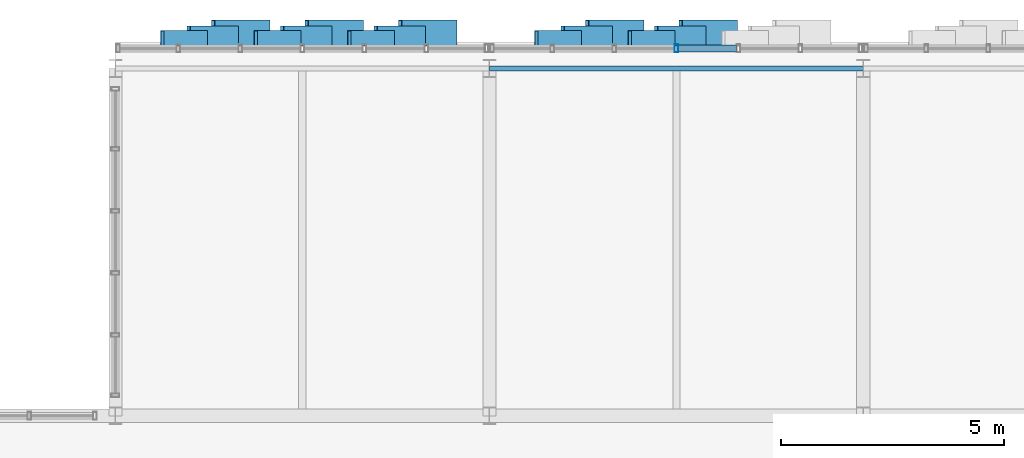
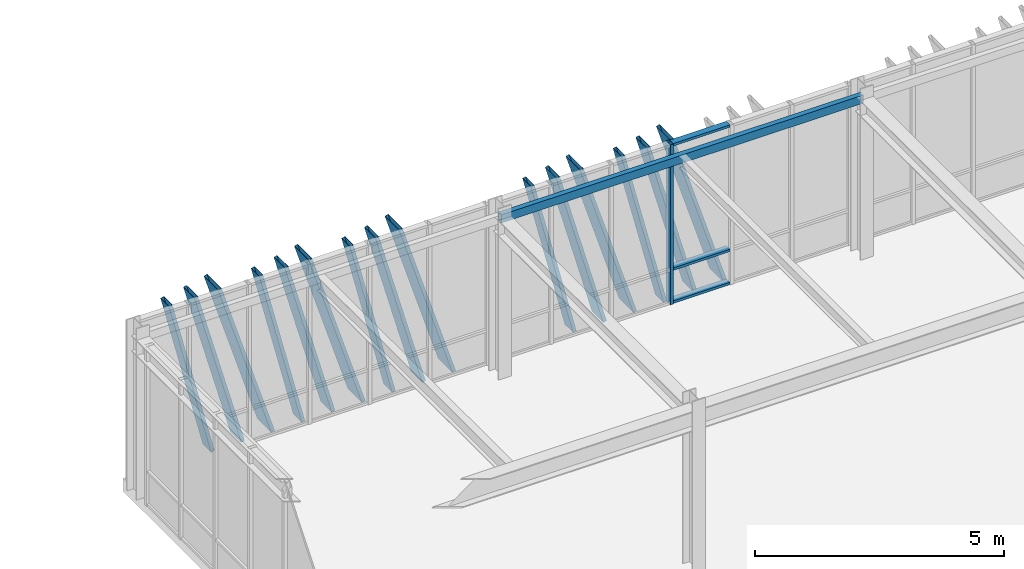
# One storey, part 52 of 127: 19 members, 1 beam, 2 elements without a shape of their own.
"""IFC4 building model written with IfcOpenShell, lengths in metres."""

from ifc_helpers import new_model, si_unit, direction, frame, origin, origin_2d, place, context, subcontext, project, spatial, hollow_rectangle, extrude, material, layer, layer_set, material_profile, profile_set, type_object, element, aggregate, save


model = new_model("IFC4")

# Units and contexts
model_context = context("Model", 3, precision=1e-05, world=origin(), true_north=direction((0.0, 1.0)))
body_context = subcontext(model_context, "Body", "Model", "MODEL_VIEW")
ifc_project = project(units=[si_unit("LENGTHUNIT", "METRE"), si_unit("AREAUNIT", "SQUARE_METRE"), si_unit("VOLUMEUNIT", "CUBIC_METRE"), si_unit("PLANEANGLEUNIT", "RADIAN"), si_unit("MASSUNIT", "GRAM", prefix="KILO")], contexts=[model_context])

# Site, building, storey
site_placement = place(None, origin())
site = spatial("IfcSite", under=ifc_project, at=site_placement, CompositionType="ELEMENT")
building_placement = place(site_placement, origin())
building = spatial("IfcBuilding", under=site, at=building_placement, Name="Zayran Congress Hotel", CompositionType="ELEMENT")
storey_placement = place(building_placement, frame((0.0, 0.0, 10.800048828125)))
storey = spatial("IfcBuildingStorey", under=building, at=storey_placement, Name="L02", CompositionType="ELEMENT", Elevation=10.800048828125)

# Beam
ifc_material_1 = material(Name="Steel S355", Category="steel")
ifc_material_profile_1 = material_profile(ifc_material_1, hollow_rectangle(XDim=0.1201171875, YDim=0.199951171875, WallThickness=0.008056640625, at=origin_2d()), Name="RHS 200x120x8")
ifc_profile_set_1 = profile_set([ifc_material_profile_1], Name="Steel S355")
beam_type = type_object("IfcBeamType", Name="TP-SP-02", PredefinedType="SPANDREL", material=ifc_profile_set_1)
beam_placement = place(storey_placement, frame((67.199951171875, 117.39990234375, 3.820068359375), z_axis=(1.0, 0.0, 0.0), x_axis=(0.0, 1.0, 0.0)))
element("IfcBeam", 1, at=beam_placement, inside=storey, type_object=beam_type, Name="BM-V1-L02-0707", PredefinedType="SPANDREL", context=body_context, shape_type="SweptSolid", body=[
    extrude(hollow_rectangle(XDim=0.1201171875, YDim=0.199951171875, WallThickness=0.008056640625, at=origin_2d()), origin(), (0.0, 0.0, 1.0), 8.400146484375),
])

# Curtain wall, members
ifc_material_2 = material(Name="Anodised aluminium and low-E insulated glass", Category="aluminium")
ifc_layer_1 = layer(ifc_material_2, 0.179931640625)
ifc_layer_set_1 = layer_set([ifc_layer_1], Name="Anodised aluminium and low-E insulated glass")
curtain_wall_type_1 = type_object("IfcCurtainWallType", Name="CW-V1N-L02-CW-22-8360-3920", PredefinedType="USERDEFINED", material=ifc_layer_set_1)
curtain_wall_1_placement = place(storey_placement, origin())
curtain_wall_1 = element("IfcCurtainWall", 2, at=curtain_wall_1_placement, inside=storey, type_object=curtain_wall_type_1, Name="CW-V1N-L02-7", ObjectType="CURTAIN WALL", PredefinedType="USERDEFINED")
ifc_material_3 = material(Name="Anodised aluminium framing", Category="aluminium")
ifc_material_profile_2 = material_profile(ifc_material_3, hollow_rectangle(XDim=0.080078125, YDim=0.179931640625, WallThickness=0.0048828125, at=origin_2d()), Name="RHS 180x80x5")
ifc_profile_set_2 = profile_set([ifc_material_profile_2], Name="Anodised aluminium framing")
member_type_1 = type_object("IfcMemberType", Name="TP-CWM-01", PredefinedType="MULLION", material=ifc_profile_set_2)
member_1_placement = place(storey_placement, frame((71.39990234375, 117.85009765625, 0.0), z_axis=(0.0, 0.0, 1.0), x_axis=(1.0, 0.0, 0.0)))
member_1 = element("IfcMember", 3, at=member_1_placement, type_object=member_type_1, Name="CW-V1N-L02-7-M03", PredefinedType="MULLION", context=body_context, shape_type="SweptSolid", body=[
    extrude(hollow_rectangle(XDim=0.080078125, YDim=0.179931640625, WallThickness=0.0048828125, at=origin_2d()), origin(), (0.0, 0.0, 1.0), 3.919921875),
])
ifc_material_profile_3 = material_profile(ifc_material_3, hollow_rectangle(XDim=0.06005859375, YDim=0.14990234375, WallThickness=0.00390625, at=origin_2d()), Name="RHS 150x60x4")
ifc_profile_set_3 = profile_set([ifc_material_profile_3], Name="Anodised aluminium framing")
member_type_2 = type_object("IfcMemberType", Name="TP-CWT-01", PredefinedType="USERDEFINED", material=ifc_profile_set_3)
member_2_placement = place(storey_placement, frame((72.75341796875, 117.85009765625, 0.030029296875), z_axis=(-1.0, 0.0, 0.0), x_axis=(0.0, 0.0, 1.0)))
member_2 = element("IfcMember", 4, at=member_2_placement, type_object=member_type_2, Name="CW-V1N-L02-7-T02-0", ObjectType="TRANSOM", PredefinedType="USERDEFINED", context=body_context, shape_type="SweptSolid", body=[
    extrude(hollow_rectangle(XDim=0.06005859375, YDim=0.14990234375, WallThickness=0.00390625, at=origin_2d()), origin(), (0.0, 0.0, 1.0), 1.3134765625),
])
member_3_placement = place(storey_placement, frame((72.75341796875, 117.85009765625, 0.83984375), z_axis=(-1.0, 0.0, 0.0), x_axis=(0.0, 0.0, 1.0)))
member_3 = element("IfcMember", 5, at=member_3_placement, type_object=member_type_2, Name="CW-V1N-L02-7-T02-1", ObjectType="TRANSOM", PredefinedType="USERDEFINED", context=body_context, shape_type="SweptSolid", body=[
    extrude(hollow_rectangle(XDim=0.06005859375, YDim=0.14990234375, WallThickness=0.00390625, at=origin_2d()), origin(), (0.0, 0.0, 1.0), 1.3134765625),
])
member_4_placement = place(storey_placement, frame((72.75341796875, 117.85009765625, 3.889892578125), z_axis=(-1.0, 0.0, 0.0), x_axis=(0.0, 0.0, 1.0)))
member_4 = element("IfcMember", 6, at=member_4_placement, type_object=member_type_2, Name="CW-V1N-L02-7-T02-2", ObjectType="TRANSOM", PredefinedType="USERDEFINED", context=body_context, shape_type="SweptSolid", body=[
    extrude(hollow_rectangle(XDim=0.06005859375, YDim=0.14990234375, WallThickness=0.00390625, at=origin_2d()), origin(), (0.0, 0.0, 1.0), 1.3134765625),
])

ifc_layer_2 = layer(ifc_material_2, 0.179931640625)
ifc_layer_set_2 = layer_set([ifc_layer_2], Name="Anodised aluminium and low-E insulated glass")
curtain_wall_type_2 = type_object("IfcCurtainWallType", Name="CW-V1N-L02-CW-21-8360-3920", PredefinedType="USERDEFINED", material=ifc_layer_set_2)
curtain_wall_2_placement = place(storey_placement, origin())
curtain_wall_2 = element("IfcCurtainWall", 7, at=curtain_wall_2_placement, inside=storey, type_object=curtain_wall_type_2, Name="CW-V1N-L02-6", ObjectType="CURTAIN WALL", PredefinedType="USERDEFINED")
ifc_material_4 = material(Name="Warm bronze anodised aluminium", Category="aluminium")
ifc_material_profile_4 = material_profile(ifc_material_4, hollow_rectangle(XDim=0.080078125, YDim=0.580078125, WallThickness=0.006103515625, at=origin_2d()), Name="RHS 580x80x6")
ifc_profile_set_4 = profile_set([ifc_material_profile_4], Name="Warm bronze anodised aluminium")
member_type_3 = type_object("IfcMemberType", Name="TP-RFN-01", PredefinedType="MULLION", material=ifc_profile_set_4)
member_5_placement = place(storey_placement, frame((66.429931640625, 118.199951171875, 0.0), z_axis=(-0.30068216973, 0.0, 0.953724400866), x_axis=(0.953724400866, 0.0, 0.30068216973)))
member_5 = element("IfcMember", 8, at=member_5_placement, type_object=member_type_3, Name="Slanting Reed Mullion CW-21-01", PredefinedType="MULLION", context=body_context, shape_type="SweptSolid", body=[
    extrude(hollow_rectangle(XDim=0.080078125, YDim=0.580078125, WallThickness=0.006103515625, at=origin_2d()), origin(), (0.0, 0.0, 1.0), 4.110107421875),
])
member_6_placement = place(storey_placement, frame((64.330078125, 118.199951171875, 0.0), z_axis=(-0.300736197829, 0.0, 0.953707365661), x_axis=(0.953707365661, 0.0, 0.300736197829)))
member_6 = element("IfcMember", 9, at=member_6_placement, type_object=member_type_3, Name="Slanting Reed Mullion CW-21-04", PredefinedType="MULLION", context=body_context, shape_type="SweptSolid", body=[
    extrude(hollow_rectangle(XDim=0.080078125, YDim=0.580078125, WallThickness=0.006103515625, at=origin_2d()), origin(), (0.0, 0.0, 1.0), 4.110107421875),
])
member_7_placement = place(storey_placement, frame((62.22998046875, 118.199951171875, 0.0), z_axis=(-0.300736197829, 0.0, 0.953707365661), x_axis=(0.953707365661, 0.0, 0.300736197829)))
member_7 = element("IfcMember", 10, at=member_7_placement, type_object=member_type_3, Name="Slanting Reed Mullion CW-21-07", PredefinedType="MULLION", context=body_context, shape_type="SweptSolid", body=[
    extrude(hollow_rectangle(XDim=0.080078125, YDim=0.580078125, WallThickness=0.006103515625, at=origin_2d()), origin(), (0.0, 0.0, 1.0), 4.110107421875),
])

# Member
member_8_placement = place(storey_placement, frame((72.72998046875, 118.199951171875, 0.0), z_axis=(-0.300736197829, 0.0, 0.953707365661), x_axis=(0.953707365661, 0.0, 0.300736197829)))
member_8 = element("IfcMember", 11, at=member_8_placement, type_object=member_type_3, Name="Slanting Reed Mullion CW-22-04", PredefinedType="MULLION", context=body_context, shape_type="SweptSolid", body=[
    extrude(hollow_rectangle(XDim=0.080078125, YDim=0.580078125, WallThickness=0.006103515625, at=origin_2d()), origin(), (0.0, 0.0, 1.0), 4.110107421875),
])

member_9_placement = place(storey_placement, frame((70.6298828125, 118.199951171875, 0.0), z_axis=(-0.30068216973, 0.0, 0.953724400866), x_axis=(0.953724400866, 0.0, 0.30068216973)))
member_9 = element("IfcMember", 12, at=member_9_placement, type_object=member_type_3, Name="Slanting Reed Mullion CW-22-07", PredefinedType="MULLION", context=body_context, shape_type="SweptSolid", body=[
    extrude(hollow_rectangle(XDim=0.080078125, YDim=0.580078125, WallThickness=0.006103515625, at=origin_2d()), origin(), (0.0, 0.0, 1.0), 4.110107421875),
])

ifc_material_profile_5 = material_profile(ifc_material_4, hollow_rectangle(XDim=0.080078125, YDim=0.449951171875, WallThickness=0.006103515625, at=origin_2d()), Name="RHS 450x80x6")
ifc_profile_set_5 = profile_set([ifc_material_profile_5], Name="Warm bronze anodised aluminium")
member_type_4 = type_object("IfcMemberType", Name="TP-RFN-02", PredefinedType="MULLION", material=ifc_profile_set_5)
member_10_placement = place(storey_placement, frame((65.72998046875, 118.135009765625, 0.0), z_axis=(-0.267253820088, 0.0, 0.963626170072), x_axis=(0.963626170072, 0.0, 0.267253820088)))
member_10 = element("IfcMember", 13, at=member_10_placement, type_object=member_type_4, Name="Slanting Reed Mullion CW-21-02", PredefinedType="MULLION", context=body_context, shape_type="SweptSolid", body=[
    extrude(hollow_rectangle(XDim=0.080078125, YDim=0.449951171875, WallThickness=0.006103515625, at=origin_2d()), origin(), (0.0, 0.0, 1.0), 4.06787109375),
])

member_11_placement = place(storey_placement, frame((63.6298828125, 118.135009765625, 0.0), z_axis=(-0.26719808883, 0.0, 0.963641624944), x_axis=(0.963641624944, 0.0, 0.26719808883)))
member_11 = element("IfcMember", 14, at=member_11_placement, type_object=member_type_4, Name="Slanting Reed Mullion CW-21-05", PredefinedType="MULLION", context=body_context, shape_type="SweptSolid", body=[
    extrude(hollow_rectangle(XDim=0.080078125, YDim=0.449951171875, WallThickness=0.006103515625, at=origin_2d()), origin(), (0.0, 0.0, 1.0), 4.06787109375),
])

member_12_placement = place(storey_placement, frame((61.530029296875, 118.135009765625, 0.0), z_axis=(-0.267253820088, 0.0, 0.963626170072), x_axis=(0.963626170072, 0.0, 0.267253820088)))
member_12 = element("IfcMember", 15, at=member_12_placement, type_object=member_type_4, Name="Slanting Reed Mullion CW-21-08", PredefinedType="MULLION", context=body_context, shape_type="SweptSolid", body=[
    extrude(hollow_rectangle(XDim=0.080078125, YDim=0.449951171875, WallThickness=0.006103515625, at=origin_2d()), origin(), (0.0, 0.0, 1.0), 4.06787109375),
])

member_13_placement = place(storey_placement, frame((72.030029296875, 118.135009765625, 0.0), z_axis=(-0.267253820088, 0.0, 0.963626170072), x_axis=(0.963626170072, 0.0, 0.267253820088)))
member_13 = element("IfcMember", 16, at=member_13_placement, type_object=member_type_4, Name="Slanting Reed Mullion CW-22-05", PredefinedType="MULLION", context=body_context, shape_type="SweptSolid", body=[
    extrude(hollow_rectangle(XDim=0.080078125, YDim=0.449951171875, WallThickness=0.006103515625, at=origin_2d()), origin(), (0.0, 0.0, 1.0), 4.06787109375),
])

member_14_placement = place(storey_placement, frame((69.929931640625, 118.135009765625, 0.0), z_axis=(-0.26719808883, 0.0, 0.963641624944), x_axis=(0.963641624944, 0.0, 0.26719808883)))
member_14 = element("IfcMember", 17, at=member_14_placement, type_object=member_type_4, Name="Slanting Reed Mullion CW-22-08", PredefinedType="MULLION", context=body_context, shape_type="SweptSolid", body=[
    extrude(hollow_rectangle(XDim=0.080078125, YDim=0.449951171875, WallThickness=0.006103515625, at=origin_2d()), origin(), (0.0, 0.0, 1.0), 4.06787109375),
])

ifc_material_profile_6 = material_profile(ifc_material_4, hollow_rectangle(XDim=0.080078125, YDim=0.340087890625, WallThickness=0.006103515625, at=origin_2d()), Name="RHS 340x80x6")
ifc_profile_set_6 = profile_set([ifc_material_profile_6], Name="Warm bronze anodised aluminium")
member_type_5 = type_object("IfcMemberType", Name="TP-RFN-03", PredefinedType="MULLION", material=ifc_profile_set_6)
member_15_placement = place(storey_placement, frame((65.030029296875, 118.080078125, 0.0), z_axis=(-0.24196681843, 0.0, 0.970284524652), x_axis=(0.970284524652, 0.0, 0.24196681843)))
member_15 = element("IfcMember", 18, at=member_15_placement, type_object=member_type_5, Name="Slanting Reed Mullion CW-21-03", PredefinedType="MULLION", context=body_context, shape_type="SweptSolid", body=[
    extrude(hollow_rectangle(XDim=0.080078125, YDim=0.340087890625, WallThickness=0.006103515625, at=origin_2d()), origin(), (0.0, 0.0, 1.0), 4.0400390625),
])

member_16_placement = place(storey_placement, frame((62.929931640625, 118.080078125, 0.0), z_axis=(-0.241909924035, 0.0, 0.970298711044), x_axis=(0.970298711044, 0.0, 0.241909924035)))
member_16 = element("IfcMember", 19, at=member_16_placement, type_object=member_type_5, Name="Slanting Reed Mullion CW-21-06", PredefinedType="MULLION", context=body_context, shape_type="SweptSolid", body=[
    extrude(hollow_rectangle(XDim=0.080078125, YDim=0.340087890625, WallThickness=0.006103515625, at=origin_2d()), origin(), (0.0, 0.0, 1.0), 4.039794921875),
])

member_17_placement = place(storey_placement, frame((60.830078125, 118.080078125, 0.0), z_axis=(-0.24196681843, 0.0, 0.970284524652), x_axis=(0.970284524652, 0.0, 0.24196681843)))
member_17 = element("IfcMember", 20, at=member_17_placement, type_object=member_type_5, Name="Slanting Reed Mullion CW-21-09", PredefinedType="MULLION", context=body_context, shape_type="SweptSolid", body=[
    extrude(hollow_rectangle(XDim=0.080078125, YDim=0.340087890625, WallThickness=0.006103515625, at=origin_2d()), origin(), (0.0, 0.0, 1.0), 4.0400390625),
])

aggregate(curtain_wall_2, [member_5, member_10, member_15, member_6, member_11, member_16, member_7, member_12, member_17])

member_18_placement = place(storey_placement, frame((71.330078125, 118.080078125, 0.0), z_axis=(-0.24196681843, 0.0, 0.970284524652), x_axis=(0.970284524652, 0.0, 0.24196681843)))
member_18 = element("IfcMember", 21, at=member_18_placement, type_object=member_type_5, Name="Slanting Reed Mullion CW-22-06", PredefinedType="MULLION", context=body_context, shape_type="SweptSolid", body=[
    extrude(hollow_rectangle(XDim=0.080078125, YDim=0.340087890625, WallThickness=0.006103515625, at=origin_2d()), origin(), (0.0, 0.0, 1.0), 4.0400390625),
])

member_19_placement = place(storey_placement, frame((69.22998046875, 118.080078125, 0.0), z_axis=(-0.241909924035, 0.0, 0.970298711044), x_axis=(0.970298711044, 0.0, 0.241909924035)))
member_19 = element("IfcMember", 22, at=member_19_placement, type_object=member_type_5, Name="Slanting Reed Mullion CW-22-09", PredefinedType="MULLION", context=body_context, shape_type="SweptSolid", body=[
    extrude(hollow_rectangle(XDim=0.080078125, YDim=0.340087890625, WallThickness=0.006103515625, at=origin_2d()), origin(), (0.0, 0.0, 1.0), 4.039794921875),
])

aggregate(curtain_wall_1, [member_1, member_2, member_3, member_4, member_8, member_13, member_18, member_9, member_14, member_19])

save(model, "model.ifc")
